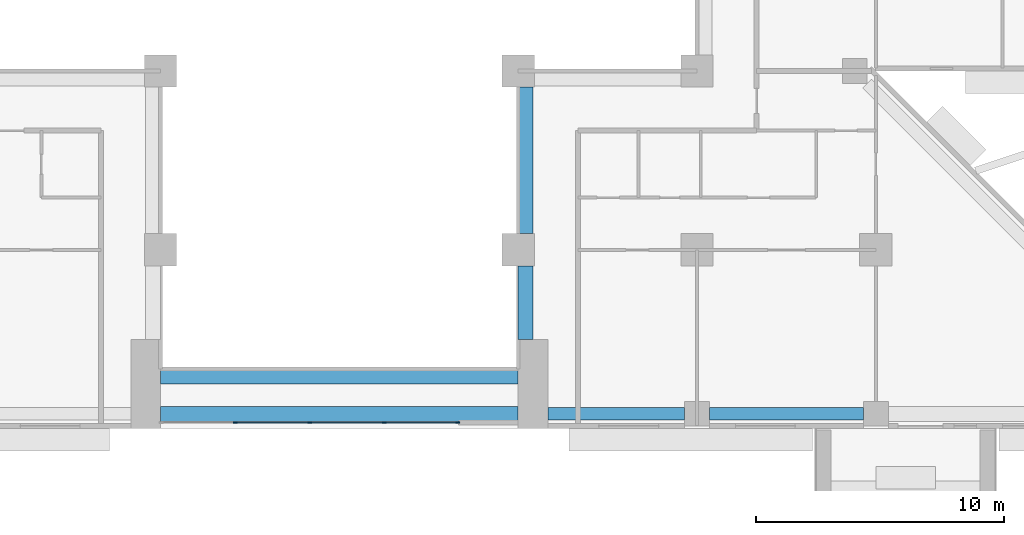
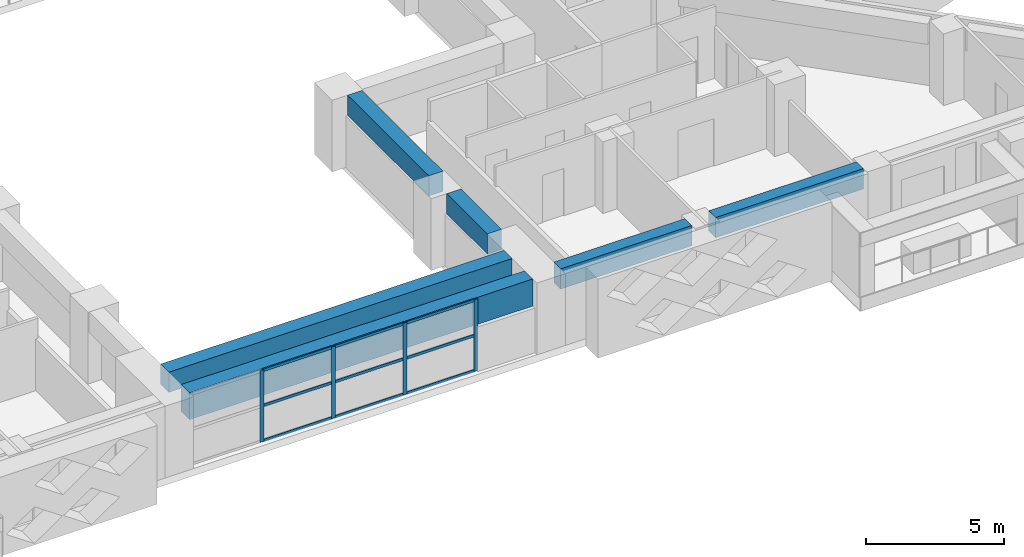
# One storey, part 4 of 17: 13 members, 6 beams, 1 element without a shape of its own.
"""IFC4 building model written with IfcOpenShell, lengths in metres."""

from ifc_helpers import new_model, si_unit, direction, frame, origin, origin_2d, place, context, subcontext, project, spatial, rectangle, extrude, source, transform, mapped, material, layer, layer_set, material_profile, profile_set, type_object, element, aggregate, save


model = new_model("IFC4")

# Units and contexts
model_context = context("Model", 3, precision=1e-05, world=origin(), true_north=direction((0.0, 1.0)))
body_context = subcontext(model_context, "Body", "Model", "MODEL_VIEW")
ifc_project = project(units=[si_unit("LENGTHUNIT", "METRE"), si_unit("AREAUNIT", "SQUARE_METRE"), si_unit("VOLUMEUNIT", "CUBIC_METRE"), si_unit("PLANEANGLEUNIT", "RADIAN"), si_unit("MASSUNIT", "GRAM", prefix="KILO")], contexts=[model_context])

# Site, building, storey
site_placement = place(None, origin())
site = spatial("IfcSite", under=ifc_project, at=site_placement, CompositionType="ELEMENT")
building_placement = place(site_placement, origin())
building = spatial("IfcBuilding", under=site, at=building_placement, Name="Saffron Iwan Residences", CompositionType="ELEMENT")
storey_placement = place(building_placement, frame((0.0, 0.0, 86.5)))
storey = spatial("IfcBuildingStorey", under=building, at=storey_placement, Name="L22", CompositionType="ELEMENT", Elevation=86.5)

# Beams
ifc_material_1 = material(Name="Concrete C60/75", Category="concrete")
ifc_material_profile_1 = material_profile(ifc_material_1, rectangle(XDim=0.60009765625, YDim=1.199951171875, at=origin_2d()), Name="RC 600x1200")
ifc_profile_set_1 = profile_set([ifc_material_profile_1], Name="Concrete C60/75")
beam_type_1 = type_object("IfcBeamType", Name="LINTEL BEAM RC 600x1200 C60/75 TOP 3180", PredefinedType="LINTEL", material=ifc_profile_set_1)
shared_shape_1 = source(origin(), body_context, "Body", "SweptSolid", [
    extrude(rectangle(XDim=0.60009765625, YDim=1.199951171875, at=origin_2d()), origin(), (0.0, 0.0, 1.0), 14.400146484375),
])
beam_1_placement = place(storey_placement, frame((57.60009765625, 34.199951171875, 2.580078125), z_axis=(-1.0, 0.0, 0.0), x_axis=(0.0, -1.0, 0.0)))
element("IfcBeam", 1, at=beam_1_placement, inside=storey, type_object=beam_type_1, Name="Lintel beam over the iwan", PredefinedType="LINTEL", context=body_context, shape_type="MappedRepresentation", body=[
    mapped(shared_shape_1, transform((0.0, 0.0, 0.0))),
])
ifc_material_profile_2 = material_profile(ifc_material_1, rectangle(XDim=0.60009765625, YDim=0.89990234375, at=origin_2d()), Name="RC 600x900")
ifc_profile_set_2 = profile_set([ifc_material_profile_2], Name="Concrete C60/75")
beam_type_2 = type_object("IfcBeamType", Name="BEAM RC 600x900 C60/75 TOP 3180", PredefinedType="BEAM", material=ifc_profile_set_2)
shared_shape_2 = source(origin(), body_context, "Body", "SweptSolid", [
    extrude(rectangle(XDim=0.60009765625, YDim=0.89990234375, at=origin_2d()), origin(), (0.0, 0.0, 1.0), 14.400146484375),
])
beam_2_placement = place(storey_placement, frame((57.60009765625, 35.699951171875, 2.72998046875), z_axis=(-1.0, 0.0, 0.0), x_axis=(0.0, -1.0, 0.0)))
element("IfcBeam", 2, at=beam_2_placement, inside=storey, type_object=beam_type_2, Name="Atrium edge beam", PredefinedType="BEAM", context=body_context, shape_type="MappedRepresentation", body=[
    mapped(shared_shape_2, transform((0.0, 0.0, 0.0))),
])
ifc_material_profile_3 = material_profile(ifc_material_1, rectangle(XDim=0.5, YDim=0.89990234375, at=origin_2d()), Name="RC 500x900")
ifc_profile_set_3 = profile_set([ifc_material_profile_3], Name="Concrete C60/75")
beam_type_3 = type_object("IfcBeamType", Name="SPANDREL BEAM RC 500x900 C60/75 TOP 3180", PredefinedType="SPANDREL", material=ifc_profile_set_3)
shared_shape_3 = source(origin(), body_context, "Body", "SweptSolid", [
    extrude(rectangle(XDim=0.5, YDim=0.89990234375, at=origin_2d()), origin(), (0.0, 0.0, 1.0), 6.199951171875),
])
beam_3_placement = place(storey_placement, frame((71.5, 34.199951171875, 2.72998046875), z_axis=(-1.0, 0.0, 0.0), x_axis=(0.0, -1.0, 0.0)))
element("IfcBeam", 3, at=beam_3_placement, inside=storey, type_object=beam_type_3, Name="Spandrel beam", PredefinedType="SPANDREL", context=body_context, shape_type="MappedRepresentation", body=[
    mapped(shared_shape_3, transform((0.0, 0.0, 0.0))),
])
shared_shape_4 = source(origin(), body_context, "Body", "SweptSolid", [
    extrude(rectangle(XDim=0.5, YDim=0.89990234375, at=origin_2d()), origin(), (0.0, 0.0, 1.0), 5.5),
])
beam_4_placement = place(storey_placement, frame((64.300048828125, 34.199951171875, 2.72998046875), z_axis=(-1.0, 0.0, 0.0), x_axis=(0.0, -1.0, 0.0)))
element("IfcBeam", 4, at=beam_4_placement, inside=storey, type_object=beam_type_3, Name="Spandrel beam", PredefinedType="SPANDREL", context=body_context, shape_type="MappedRepresentation", body=[
    mapped(shared_shape_4, transform((0.0, 0.0, 0.0))),
])
shared_shape_5 = source(origin(), body_context, "Body", "SweptSolid", [
    extrude(rectangle(XDim=0.60009765625, YDim=0.89990234375, at=origin_2d()), origin(), (0.0, 0.0, 1.0), 2.949951171875),
])
beam_5_placement = place(storey_placement, frame((57.89990234375, 40.14990234375, 2.72998046875), z_axis=(0.0, -1.0, 0.0), x_axis=(1.0, 0.0, 0.0)))
element("IfcBeam", 5, at=beam_5_placement, inside=storey, type_object=beam_type_2, Name="Atrium edge beam", PredefinedType="BEAM", context=body_context, shape_type="MappedRepresentation", body=[
    mapped(shared_shape_5, transform((0.0, 0.0, 0.0))),
])
shared_shape_6 = source(origin(), body_context, "Body", "SweptSolid", [
    extrude(rectangle(XDim=0.60009765625, YDim=0.89990234375, at=origin_2d()), origin(), (0.0, 0.0, 1.0), 5.900146484375),
])
beam_6_placement = place(storey_placement, frame((57.89990234375, 47.35009765625, 2.72998046875), z_axis=(0.0, -1.0, 0.0), x_axis=(1.0, 0.0, 0.0)))
element("IfcBeam", 6, at=beam_6_placement, inside=storey, type_object=beam_type_2, Name="Atrium edge beam", PredefinedType="BEAM", context=body_context, shape_type="MappedRepresentation", body=[
    mapped(shared_shape_6, transform((0.0, 0.0, 0.0))),
])

# Curtain wall, members
ifc_material_2 = material(Name="Clear glass, laminated double glazed", Category="glass")
ifc_layer = layer(ifc_material_2, 0.199951171875)
ifc_layer_set = layer_set([ifc_layer], Name="Clear glass, laminated double glazed")
curtain_wall_type = type_object("IfcCurtainWallType", Name="CW-B IWAN PORTAL", PredefinedType="NOTDEFINED", material=ifc_layer_set)
curtain_wall_placement = place(storey_placement, origin())
curtain_wall = element("IfcCurtainWall", 7, at=curtain_wall_placement, inside=storey, type_object=curtain_wall_type, Name="Iwan portal glazing L22.1", PredefinedType="NOTDEFINED")
ifc_material_3 = material(Name="Aluminium 6063-T6", Category="aluminium")
ifc_material_profile_4 = material_profile(ifc_material_3, rectangle(XDim=0.06005859375, YDim=0.159912109375, at=origin_2d()), Name="CW-B MULLION 60 x 160")
ifc_profile_set_4 = profile_set([ifc_material_profile_4], Name="Aluminium 6063-T6")
member_type_1 = type_object("IfcMemberType", Name="CW-B MULLION 60 x 160", PredefinedType="MULLION", material=ifc_profile_set_4)
shared_shape_7 = source(origin(), body_context, "Body", "SweptSolid", [
    extrude(rectangle(XDim=0.06005859375, YDim=0.159912109375, at=origin_2d()), origin(), (0.0, 0.0, 1.0), 3.179931640625),
])
member_1_placement = place(storey_placement, frame((46.199951171875, 33.85009765625, 0.0), z_axis=(0.0, 0.0, 1.0), x_axis=(0.0, 1.0, 0.0)))
member_1 = element("IfcMember", 8, at=member_1_placement, type_object=member_type_1, Name="CW-B mullion 2", PredefinedType="MULLION", context=body_context, shape_type="MappedRepresentation", body=[
    mapped(shared_shape_7, transform((0.0, 0.0, 0.0))),
])
member_2_placement = place(storey_placement, frame((49.199951171875, 33.85009765625, 0.0), z_axis=(0.0, 0.0, 1.0), x_axis=(0.0, 1.0, 0.0)))
member_2 = element("IfcMember", 9, at=member_2_placement, type_object=member_type_1, Name="CW-B mullion 3", PredefinedType="MULLION", context=body_context, shape_type="MappedRepresentation", body=[
    mapped(shared_shape_7, transform((0.0, 0.0, 0.0))),
])
member_3_placement = place(storey_placement, frame((52.199951171875, 33.85009765625, 0.0), z_axis=(0.0, 0.0, 1.0), x_axis=(0.0, 1.0, 0.0)))
member_3 = element("IfcMember", 10, at=member_3_placement, type_object=member_type_1, Name="CW-B mullion 4", PredefinedType="MULLION", context=body_context, shape_type="MappedRepresentation", body=[
    mapped(shared_shape_7, transform((0.0, 0.0, 0.0))),
])
member_4_placement = place(storey_placement, frame((55.169921875, 33.85009765625, 0.0), z_axis=(0.0, 0.0, 1.0), x_axis=(0.0, 1.0, 0.0)))
member_4 = element("IfcMember", 11, at=member_4_placement, type_object=member_type_1, Name="CW-B mullion 5", PredefinedType="MULLION", context=body_context, shape_type="MappedRepresentation", body=[
    mapped(shared_shape_7, transform((0.0, 0.0, 0.0))),
])
ifc_material_profile_5 = material_profile(ifc_material_3, rectangle(XDim=0.06005859375, YDim=0.1201171875, at=origin_2d()), Name="CW-B TRANSOM 60 x 120")
ifc_profile_set_5 = profile_set([ifc_material_profile_5], Name="Aluminium 6063-T6")
member_type_2 = type_object("IfcMemberType", Name="CW-B TRANSOM 60 x 120", PredefinedType="USERDEFINED", material=ifc_profile_set_5)
shared_shape_8 = source(origin(), body_context, "Body", "SweptSolid", [
    extrude(rectangle(XDim=0.06005859375, YDim=0.1201171875, at=origin_2d()), origin(), (0.0, 0.0, 1.0), 2.909912109375),
])
member_5_placement = place(storey_placement, frame((52.22998046875, 33.85009765625, 0.030029296875), z_axis=(1.0, 0.0, 0.0), x_axis=(0.0, 1.0, 0.0)))
member_5 = element("IfcMember", 12, at=member_5_placement, type_object=member_type_2, Name="CW-B transom 4.1", ObjectType="TRANSOM", PredefinedType="USERDEFINED", context=body_context, shape_type="MappedRepresentation", body=[
    mapped(shared_shape_8, transform((0.0, 0.0, 0.0))),
])
member_6_placement = place(storey_placement, frame((52.22998046875, 33.85009765625, 1.590087890625), z_axis=(1.0, 0.0, 0.0), x_axis=(0.0, 1.0, 0.0)))
member_6 = element("IfcMember", 13, at=member_6_placement, type_object=member_type_2, Name="CW-B transom 4.2", ObjectType="TRANSOM", PredefinedType="USERDEFINED", context=body_context, shape_type="MappedRepresentation", body=[
    mapped(shared_shape_8, transform((0.0, 0.0, 0.0))),
])
member_7_placement = place(storey_placement, frame((52.22998046875, 33.85009765625, 3.14990234375), z_axis=(1.0, 0.0, 0.0), x_axis=(0.0, 1.0, 0.0)))
member_7 = element("IfcMember", 14, at=member_7_placement, type_object=member_type_2, Name="CW-B transom 4.3", ObjectType="TRANSOM", PredefinedType="USERDEFINED", context=body_context, shape_type="MappedRepresentation", body=[
    mapped(shared_shape_8, transform((0.0, 0.0, 0.0))),
])
shared_shape_9 = source(origin(), body_context, "Body", "SweptSolid", [
    extrude(rectangle(XDim=0.06005859375, YDim=0.1201171875, at=origin_2d()), origin(), (0.0, 0.0, 1.0), 2.93994140625),
])
member_8_placement = place(storey_placement, frame((46.22998046875, 33.85009765625, 0.030029296875), z_axis=(1.0, 0.0, 0.0), x_axis=(0.0, 1.0, 0.0)))
member_8 = element("IfcMember", 15, at=member_8_placement, type_object=member_type_2, Name="CW-B transom 2.1", ObjectType="TRANSOM", PredefinedType="USERDEFINED", context=body_context, shape_type="MappedRepresentation", body=[
    mapped(shared_shape_9, transform((0.0, 0.0, 0.0))),
])
member_9_placement = place(storey_placement, frame((46.22998046875, 33.85009765625, 1.590087890625), z_axis=(1.0, 0.0, 0.0), x_axis=(0.0, 1.0, 0.0)))
member_9 = element("IfcMember", 16, at=member_9_placement, type_object=member_type_2, Name="CW-B transom 2.2", ObjectType="TRANSOM", PredefinedType="USERDEFINED", context=body_context, shape_type="MappedRepresentation", body=[
    mapped(shared_shape_9, transform((0.0, 0.0, 0.0))),
])
member_10_placement = place(storey_placement, frame((46.22998046875, 33.85009765625, 3.14990234375), z_axis=(1.0, 0.0, 0.0), x_axis=(0.0, 1.0, 0.0)))
member_10 = element("IfcMember", 17, at=member_10_placement, type_object=member_type_2, Name="CW-B transom 2.3", ObjectType="TRANSOM", PredefinedType="USERDEFINED", context=body_context, shape_type="MappedRepresentation", body=[
    mapped(shared_shape_9, transform((0.0, 0.0, 0.0))),
])
member_11_placement = place(storey_placement, frame((49.22998046875, 33.85009765625, 0.030029296875), z_axis=(1.0, 0.0, 0.0), x_axis=(0.0, 1.0, 0.0)))
member_11 = element("IfcMember", 18, at=member_11_placement, type_object=member_type_2, Name="CW-B transom 3.1", ObjectType="TRANSOM", PredefinedType="USERDEFINED", context=body_context, shape_type="MappedRepresentation", body=[
    mapped(shared_shape_9, transform((0.0, 0.0, 0.0))),
])
member_12_placement = place(storey_placement, frame((49.22998046875, 33.85009765625, 1.590087890625), z_axis=(1.0, 0.0, 0.0), x_axis=(0.0, 1.0, 0.0)))
member_12 = element("IfcMember", 19, at=member_12_placement, type_object=member_type_2, Name="CW-B transom 3.2", ObjectType="TRANSOM", PredefinedType="USERDEFINED", context=body_context, shape_type="MappedRepresentation", body=[
    mapped(shared_shape_9, transform((0.0, 0.0, 0.0))),
])
member_13_placement = place(storey_placement, frame((49.22998046875, 33.85009765625, 3.14990234375), z_axis=(1.0, 0.0, 0.0), x_axis=(0.0, 1.0, 0.0)))
member_13 = element("IfcMember", 20, at=member_13_placement, type_object=member_type_2, Name="CW-B transom 3.3", ObjectType="TRANSOM", PredefinedType="USERDEFINED", context=body_context, shape_type="MappedRepresentation", body=[
    mapped(shared_shape_9, transform((0.0, 0.0, 0.0))),
])
aggregate(curtain_wall, [member_1, member_2, member_3, member_4, member_8, member_9, member_10, member_11, member_12, member_13, member_5, member_6, member_7])

save(model, "model.ifc")
